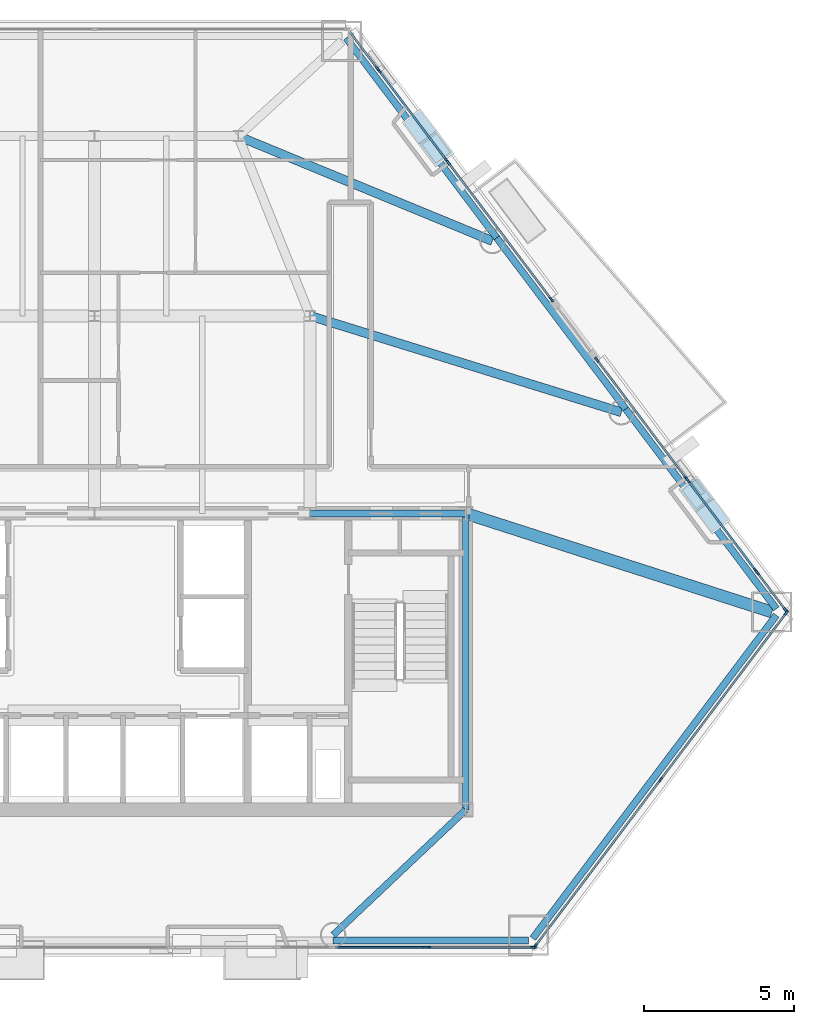
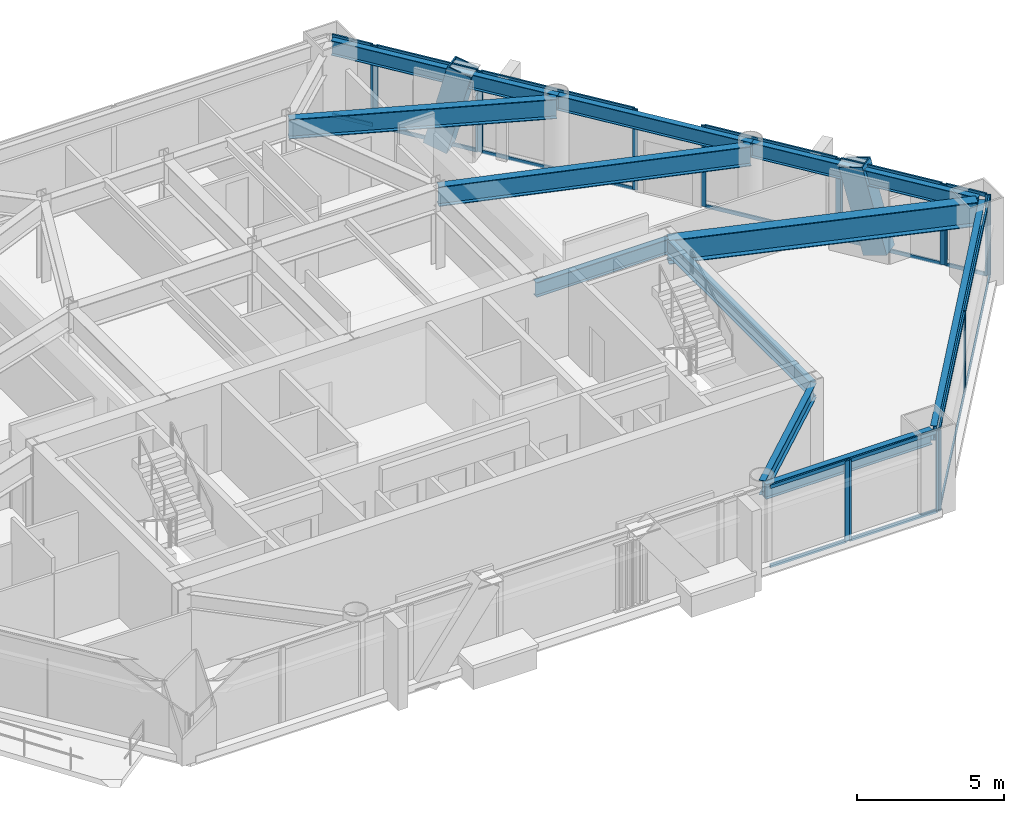
# One storey, part 4 of 10: 39 members, 11 beams, 9 elements without a shape of their own.
"""IFC4 building model written with IfcOpenShell, lengths in metres."""

import ifcopenshell
import ifcopenshell.guid

model = None  # the IFC model being written
_history = None  # IfcOwnerHistory: only IFC2X3 demands one
_inside = {}  # id of a spatial element -> (the spatial element, [elements in it])
_under = {}  # id of a project, library or spatial element -> (it, [spatial elements below it])
_declared = {}  # id of a project -> (the project, [libraries it declares])
_typed = {}  # id of a type object -> (the type object, [elements of that type])
_made_of = {}  # id of a material, layer set ... -> (it, [elements and type objects made of it])


def new_model(schema):
    """Start an empty IFC model of exactly this schema.

    Asked for "IFC4X3", IfcOpenShell would pick the latest addendum, in which some entities
    have other attributes; the version numbers below select the first issue.
    IFC2X3 requires an IfcOwnerHistory on every rooted entity: one is made here for all.
    """
    global model, _history
    if schema == "IFC4X3":
        model = ifcopenshell.file(schema_version=(4, 3, 0, 0))
    else:
        model = ifcopenshell.file(schema=schema)
    _inside.clear()
    _under.clear()
    _declared.clear()
    _typed.clear()
    _made_of.clear()
    _history = None
    if model.schema == "IFC2X3":
        org = make("IfcOrganization", Name="unknown")
        user = make(
            "IfcPersonAndOrganization",
            ThePerson=make("IfcPerson", FamilyName="unknown"),
            TheOrganization=org,
        )
        app = make(
            "IfcApplication",
            ApplicationDeveloper=org,
            Version="unknown",
            ApplicationFullName="unknown",
            ApplicationIdentifier="unknown",
        )
        _history = make(
            "IfcOwnerHistory",
            OwningUser=user,
            OwningApplication=app,
            ChangeAction="ADDED",
            CreationDate=0,
        )
    return model


def make(cls, **values):
    """One entity of the class cls with the attributes given. An attribute that is None is left unset."""
    return model.create_entity(
        cls, **{name: value for name, value in values.items() if value is not None}
    )


def rooted(cls, **values):
    """An entity with a GlobalId (a new one), such as an element, a storey or a relation."""
    return make(cls, GlobalId=ifcopenshell.guid.new(), OwnerHistory=_history, **values)


def si_unit(unit_type, name, prefix=None):
    """IfcSIUnit, for example si_unit("LENGTHUNIT", "METRE", prefix="MILLI")."""
    return make("IfcSIUnit", UnitType=unit_type, Prefix=prefix, Name=name)


def assignment(units):
    """IfcUnitAssignment: the units of a project."""
    return None if units is None else make("IfcUnitAssignment", Units=units)


def point(xyz):
    """IfcCartesianPoint."""
    return None if xyz is None else make("IfcCartesianPoint", Coordinates=xyz)


def direction(xyz):
    """IfcDirection."""
    return None if xyz is None else make("IfcDirection", DirectionRatios=xyz)


def frame(location, z_axis=None, x_axis=None):
    """IfcAxis2Placement3D, a coordinate frame: its origin and axes. An axis left out is left unset."""
    return make(
        "IfcAxis2Placement3D",
        Location=point(location),
        Axis=direction(z_axis),
        RefDirection=direction(x_axis),
    )


def frame_2d(location, x_axis=None):
    """IfcAxis2Placement2D, a coordinate frame in the plane: its origin and x axis."""
    return make(
        "IfcAxis2Placement2D", Location=point(location), RefDirection=direction(x_axis)
    )


def origin():
    """The frame at (0, 0, 0) with its axes left unset."""
    return frame((0.0, 0.0, 0.0))


def origin_2d():
    """The frame at (0, 0) in the plane with its x axis left unset."""
    return frame_2d((0.0, 0.0))


def place(relative_to, where):
    """IfcLocalPlacement: puts the frame where relative to a parent placement (None: the world)."""
    return make(
        "IfcLocalPlacement", PlacementRelTo=relative_to, RelativePlacement=where
    )


def context(
    kind, dimensions, precision=None, world=None, true_north=None, identifier=None
):
    """IfcGeometricRepresentationContext, for example the 3D "Model" context."""
    return make(
        "IfcGeometricRepresentationContext",
        ContextIdentifier=identifier,
        ContextType=kind,
        CoordinateSpaceDimension=dimensions,
        Precision=precision,
        WorldCoordinateSystem=world,
        TrueNorth=true_north,
    )


def subcontext(parent, identifier, kind, view, scale=None):
    """IfcGeometricRepresentationSubContext, for example "Body" below "Model"."""
    return make(
        "IfcGeometricRepresentationSubContext",
        ContextIdentifier=identifier,
        ContextType=kind,
        ParentContext=parent,
        TargetScale=scale,
        TargetView=view,
    )


def project(units=None, contexts=None):
    """IfcProject with its units and contexts."""
    return rooted(
        "IfcProject",
        Name="project",
        RepresentationContexts=contexts,
        UnitsInContext=assignment(units),
    )


def spatial(cls, under=None, at=None, **own):
    """A site, building, storey or space (cls), placed at a placement, below another one or the project."""
    s = rooted(cls, ObjectPlacement=at, **own)
    if under is not None:
        _under.setdefault(under.id(), (under, []))[1].append(s)
    return s


def profile(cls, at=None, kind="AREA", **sizes):
    """A parametric profile (cls). Its sizes go by their IFC names, for example OverallWidth=200.0."""
    return make(cls, ProfileType=kind, Position=at, **sizes)


def rectangle(**sizes):
    """IfcRectangleProfileDef."""
    return profile("IfcRectangleProfileDef", **sizes)


def hollow_rectangle(**sizes):
    """IfcRectangleHollowProfileDef."""
    return profile("IfcRectangleHollowProfileDef", **sizes)


def i_section(**sizes):
    """IfcIShapeProfileDef."""
    return profile("IfcIShapeProfileDef", **sizes)


def extrude(swept, where, along, depth):
    """IfcExtrudedAreaSolid: the profile swept, set in the frame where, extruded along a direction by depth."""
    return make(
        "IfcExtrudedAreaSolid",
        SweptArea=swept,
        Position=where,
        ExtrudedDirection=direction(along),
        Depth=depth,
    )


def shape(context_of_items, identifier, shape_type, items):
    """IfcShapeRepresentation: the items that make up one representation, for example the "Body"."""
    return make(
        "IfcShapeRepresentation",
        ContextOfItems=context_of_items,
        RepresentationIdentifier=identifier,
        RepresentationType=shape_type,
        Items=items,
    )


def material(Name=None, Category=None):
    """IfcMaterial."""
    return make("IfcMaterial", Name=Name, Category=Category)


def layer(
    of_material, thickness, ventilated=None, Name=None, Category=None, Priority=None
):
    """IfcMaterialLayer: one layer of a wall or slab, of a material (None: an air gap)."""
    return make(
        "IfcMaterialLayer",
        Material=of_material,
        LayerThickness=thickness,
        IsVentilated=ventilated,
        Name=Name,
        Category=Category,
        Priority=Priority,
    )


def layer_set(layers, Name=None):
    """IfcMaterialLayerSet."""
    return make("IfcMaterialLayerSet", MaterialLayers=layers, LayerSetName=Name)


def material_profile(
    of_material, cross_section, Name=None, Category=None, Priority=None
):
    """IfcMaterialProfile: a cross section and its material."""
    return make(
        "IfcMaterialProfile",
        Name=Name,
        Material=of_material,
        Profile=cross_section,
        Priority=Priority,
        Category=Category,
    )


def profile_set(profiles, Name=None, composite=None):
    """IfcMaterialProfileSet."""
    return make(
        "IfcMaterialProfileSet",
        Name=Name,
        MaterialProfiles=profiles,
        CompositeProfile=composite,
    )


def made_of(thing, what):
    """Note that an element or type object is made of a material, layer set ...; save() writes the relation."""
    if what is not None:
        _made_of.setdefault(what.id(), (what, []))[1].append(thing)
    return thing


def type_object(cls, material=None, **own):
    """A type object (cls), such as IfcWallType, which elements share."""
    return made_of(rooted(cls, **own), material)


def element(
    cls,
    number,
    at=None,
    inside=None,
    cuts=None,
    type_object=None,
    material=None,
    context=None,
    identifier="Body",
    shape_type=None,
    held_by="IfcProductDefinitionShape",
    body=None,
    shapes=None,
    **own,
):
    """One element of the class cls, such as IfcWall. Its Tag is "e" and its number.

    at: its placement. inside: the storey or other place that contains it. cuts: it is an
    opening in that element (IfcRelVoidsElement). A single representation is given by context,
    identifier, shape_type and body (its items); several are given by shapes. held_by: the class
    of the entity that holds the representations. save() writes the other relations.
    """
    e = rooted(cls, Tag="e%d" % number, ObjectPlacement=at, **own)
    if body is not None:
        shapes = [shape(context, identifier, shape_type, body)]
    if shapes is not None:
        e.Representation = make(held_by, Representations=shapes)
    if inside is not None:
        _inside.setdefault(inside.id(), (inside, []))[1].append(e)
    if cuts is not None:
        rooted(
            "IfcRelVoidsElement", RelatingBuildingElement=cuts, RelatedOpeningElement=e
        )
    if type_object is not None:
        _typed.setdefault(type_object.id(), (type_object, []))[1].append(e)
    return made_of(e, material)


def aggregate(whole, parts):
    """IfcRelAggregates: a whole, such as a stair, and the parts it consists of."""
    return rooted("IfcRelAggregates", RelatingObject=whole, RelatedObjects=parts)


def save(model, path):
    """Write the relations noted so far, then the file.

    IfcRelAggregates (storeys below a building ...), IfcRelContainedInSpatialStructure (elements
    in a storey), IfcRelDefinesByType, IfcRelAssociatesMaterial and IfcRelDeclares: one each for
    every whole, place, type object, material and project.
    """
    for whole, parts in _under.values():
        aggregate(whole, parts)
    for where, things in _inside.values():
        rooted(
            "IfcRelContainedInSpatialStructure",
            RelatedElements=things,
            RelatingStructure=where,
        )
    for kind, things in _typed.values():
        rooted("IfcRelDefinesByType", RelatedObjects=things, RelatingType=kind)
    for what, things in _made_of.values():
        rooted("IfcRelAssociatesMaterial", RelatedObjects=things, RelatingMaterial=what)
    for by, libraries in _declared.values():
        rooted("IfcRelDeclares", RelatingContext=by, RelatedDefinitions=libraries)
    model.write(path)


model = new_model("IFC4")

# Units and contexts
model_context = context("Model", 3, precision=1e-05, world=origin(), true_north=direction((0.0, 1.0)))
body_context = subcontext(model_context, "Body", "Model", "MODEL_VIEW")
ifc_project = project(units=[si_unit("LENGTHUNIT", "METRE"), si_unit("AREAUNIT", "SQUARE_METRE"), si_unit("VOLUMEUNIT", "CUBIC_METRE"), si_unit("PLANEANGLEUNIT", "RADIAN"), si_unit("MASSUNIT", "GRAM", prefix="KILO")], contexts=[model_context])

# Site, building, storey
site_placement = place(None, origin())
site = spatial("IfcSite", under=ifc_project, at=site_placement, CompositionType="ELEMENT")
building_placement = place(site_placement, origin())
building = spatial("IfcBuilding", under=site, at=building_placement, Name="Talgorran Terracotta Tower", CompositionType="ELEMENT")
storey_placement = place(building_placement, frame((0.0, 0.0, 31.5)))
storey = spatial("IfcBuildingStorey", under=building, at=storey_placement, Name="L07", CompositionType="ELEMENT", Elevation=31.5)

# Beams
ifc_material_1 = material(Name="Steel Grade 350 (350L0)", Category="steel")
ifc_material_profile_1 = material_profile(ifc_material_1, i_section(OverallWidth=0.39990234375, OverallDepth=1.0, WebThickness=0.01611328125, FlangeThickness=0.031005859375, at=origin_2d()), Name="1000WB296")
ifc_profile_set_1 = profile_set([ifc_material_profile_1], Name="Steel Grade 350 (350L0)")
beam_type_1 = type_object("IfcBeamType", Name="BM_1000WB296", PredefinedType="BEAM", material=ifc_profile_set_1)
beam_1_placement = place(storey_placement, frame((12.39990234375, -4.199951171875, 2.85009765625), z_axis=(0.951935828117, -0.306297533694, 0.0), x_axis=(0.306297533694, 0.951935828117, 0.0)))
element("IfcBeam", 1, at=beam_1_placement, inside=storey, type_object=beam_type_1, Name="L07 Floor Girder G18", PredefinedType="BEAM", context=body_context, shape_type="SweptSolid", body=[
    extrude(i_section(OverallWidth=0.39990234375, OverallDepth=1.0, WebThickness=0.01611328125, FlangeThickness=0.031005859375, at=origin_2d()), origin(), (0.0, 0.0, 1.0), 10.742919921875),
])
ifc_material_2 = material(Name="Steel S355 (300PLUS)", Category="steel")
ifc_material_profile_2 = material_profile(ifc_material_2, i_section(OverallWidth=0.300048828125, OverallDepth=0.81591796875, WebThickness=0.013916015625, FlangeThickness=0.028076171875, at=origin_2d()), Name="800WB192")
ifc_profile_set_2 = profile_set([ifc_material_profile_2], Name="Steel S355 (300PLUS)")
beam_type_2 = type_object("IfcBeamType", Name="BM_800WB192", PredefinedType="BEAM", material=ifc_profile_set_2)
beam_2_placement = place(storey_placement, frame((7.199951171875, 2.39990234375, 2.94189453125), z_axis=(0.955282572472, -0.295694448259, 0.0), x_axis=(0.295694448259, 0.955282572472, 0.0)))
element("IfcBeam", 2, at=beam_2_placement, inside=storey, type_object=beam_type_2, Name="L07 Floor Girder G07", PredefinedType="BEAM", context=body_context, shape_type="SweptSolid", body=[
    extrude(i_section(OverallWidth=0.300048828125, OverallDepth=0.81591796875, WebThickness=0.013916015625, FlangeThickness=0.028076171875, at=origin_2d()), origin(), (0.0, 0.0, 1.0), 10.88623046875),
])
beam_3_placement = place(storey_placement, frame((4.800048828125, 8.39990234375, 2.94189453125), z_axis=(0.924495756371, -0.381192335249, 0.0), x_axis=(0.381192335249, 0.924495756371, 0.0)))
element("IfcBeam", 3, at=beam_3_placement, inside=storey, type_object=beam_type_2, Name="L07 Floor Girder G14", PredefinedType="BEAM", context=body_context, shape_type="SweptSolid", body=[
    extrude(i_section(OverallWidth=0.300048828125, OverallDepth=0.81591796875, WebThickness=0.013916015625, FlangeThickness=0.028076171875, at=origin_2d()), origin(), (0.0, 0.0, 1.0), 9.18359375),
])
ifc_material_profile_3 = material_profile(ifc_material_2, i_section(OverallWidth=0.22900390625, OverallDepth=0.611572265625, WebThickness=0.011962890625, FlangeThickness=0.01953125, at=origin_2d()), Name="610UB125")
ifc_profile_set_3 = profile_set([ifc_material_profile_3], Name="Steel S355 (300PLUS)")
beam_type_3 = type_object("IfcBeamType", Name="BM_SP_610UB125", PredefinedType="SPANDREL", material=ifc_profile_set_3)
beam_4_placement = place(storey_placement, frame((7.97265625, -18.4599609375, 3.044189453125), z_axis=(1.0, 0.0, 0.0), x_axis=(0.0, 1.0, 0.0)))
element("IfcBeam", 4, at=beam_4_placement, inside=storey, type_object=beam_type_3, Name="L07 Perimeter Spandrel Beam FC2-MC3", PredefinedType="SPANDREL", context=body_context, shape_type="SweptSolid", body=[
    extrude(i_section(OverallWidth=0.22900390625, OverallDepth=0.611572265625, WebThickness=0.011962890625, FlangeThickness=0.01953125, at=origin_2d()), origin(), (0.0, 0.0, 1.0), 6.523193359375),
])
beam_5_placement = place(storey_placement, frame((14.6396484375, -18.38818359375, 3.044189453125), z_axis=(0.601820005964, 0.798631755205, 0.0), x_axis=(-0.798631755205, 0.601820005964, 0.0)))
element("IfcBeam", 5, at=beam_5_placement, inside=storey, type_object=beam_type_3, Name="L07 Perimeter Spandrel Beam MC3-MC4", PredefinedType="SPANDREL", context=body_context, shape_type="SweptSolid", body=[
    extrude(i_section(OverallWidth=0.22900390625, OverallDepth=0.611572265625, WebThickness=0.011962890625, FlangeThickness=0.01953125, at=origin_2d()), origin(), (0.0, 0.0, 1.0), 13.510009765625),
])
beam_6_placement = place(storey_placement, frame((22.770263671875, -7.382080078125, 3.044189453125), z_axis=(-0.601803503312, 0.798644190739, 0.0), x_axis=(-0.798644190739, -0.601803503312, 0.0)))
element("IfcBeam", 6, at=beam_6_placement, inside=storey, type_object=beam_type_3, Name="L07 Perimeter Spandrel Beam MC4-FC3", PredefinedType="SPANDREL", context=body_context, shape_type="SweptSolid", body=[
    extrude(i_section(OverallWidth=0.22900390625, OverallDepth=0.611572265625, WebThickness=0.011962890625, FlangeThickness=0.01953125, at=origin_2d()), origin(), (0.0, 0.0, 1.0), 8.353271484375),
])
beam_7_placement = place(storey_placement, frame((17.7431640625, -0.710693359375, 3.044189453125), z_axis=(-0.601837001902, 0.798618947397, 0.0), x_axis=(-0.798618947397, -0.601837001902, 0.0)))
element("IfcBeam", 7, at=beam_7_placement, inside=storey, type_object=beam_type_3, Name="L07 Perimeter Spandrel Beam FC3-FC4", PredefinedType="SPANDREL", context=body_context, shape_type="SweptSolid", body=[
    extrude(i_section(OverallWidth=0.22900390625, OverallDepth=0.611572265625, WebThickness=0.011962890625, FlangeThickness=0.01953125, at=origin_2d()), origin(), (0.0, 0.0, 1.0), 7.159912109375),
])
beam_8_placement = place(storey_placement, frame((13.43408203125, 5.00732421875, 3.044189453125), z_axis=(-0.601803503312, 0.798644190739, 0.0), x_axis=(-0.798644190739, -0.601803503312, 0.0)))
element("IfcBeam", 8, at=beam_8_placement, inside=storey, type_object=beam_type_3, Name="L07 Perimeter Spandrel Beam FC4-MC5", PredefinedType="SPANDREL", context=body_context, shape_type="SweptSolid", body=[
    extrude(i_section(OverallWidth=0.22900390625, OverallDepth=0.611572265625, WebThickness=0.011962890625, FlangeThickness=0.01953125, at=origin_2d()), origin(), (0.0, 0.0, 1.0), 8.353271484375),
])
beam_9_placement = place(storey_placement, frame((12.39990234375, -14.10009765625, 3.044189453125), z_axis=(-0.727124342691, -0.686505783126, 0.0), x_axis=(0.686505783126, -0.727124342691, 0.0)))
element("IfcBeam", 9, at=beam_9_placement, inside=storey, type_object=beam_type_3, Name="L07 South-East Core Tie Beam", PredefinedType="SPANDREL", context=body_context, shape_type="SweptSolid", body=[
    extrude(i_section(OverallWidth=0.22900390625, OverallDepth=0.611572265625, WebThickness=0.011962890625, FlangeThickness=0.01953125, at=origin_2d()), origin(), (0.0, 0.0, 1.0), 6.088623046875),
])
beam_10_placement = place(storey_placement, frame((12.39990234375, -14.10009765625, 3.044189453125), z_axis=(0.0, 1.0, 0.0), x_axis=(-1.0, 0.0, 0.0)))
element("IfcBeam", 10, at=beam_10_placement, inside=storey, type_object=beam_type_3, Name="L07 Core Frame Beam CFE", PredefinedType="SPANDREL", context=body_context, shape_type="SweptSolid", body=[
    extrude(i_section(OverallWidth=0.22900390625, OverallDepth=0.611572265625, WebThickness=0.011962890625, FlangeThickness=0.01953125, at=origin_2d()), origin(), (0.0, 0.0, 1.0), 9.900146484375),
])
beam_11_placement = place(storey_placement, frame((7.199951171875, -4.199951171875, 3.044189453125), z_axis=(1.0, 0.0, 0.0), x_axis=(0.0, 1.0, 0.0)))
element("IfcBeam", 11, at=beam_11_placement, inside=storey, type_object=beam_type_3, Name="L07 Core Frame Beam CFN4", PredefinedType="SPANDREL", context=body_context, shape_type="SweptSolid", body=[
    extrude(i_section(OverallWidth=0.22900390625, OverallDepth=0.611572265625, WebThickness=0.011962890625, FlangeThickness=0.01953125, at=origin_2d()), origin(), (0.0, 0.0, 1.0), 5.199951171875),
])

# Members
ifc_material_profile_4 = material_profile(ifc_material_1, hollow_rectangle(XDim=0.699951171875, YDim=0.89990234375, WallThickness=0.050048828125, at=origin_2d()), Name="WBOX900X700X50")
ifc_profile_set_4 = profile_set([ifc_material_profile_4], Name="Steel Grade 350 (350L0)")
member_type_1 = type_object("IfcMemberType", Name="MB_MEGA_900", PredefinedType="BRACE", material=ifc_profile_set_4)
for number, where, z_axis, x_axis, name in (
    (12, (20.64794921875, -4.2666015625, -0.02490234375), (-0.153970521354, 0.204299028109, 0.966723841471), (-0.79859763006, -0.601865288302, 0.0), "L07 Exterior Face Mega-Brace MB-1 (NEL)"),
    (13, (10.8720703125, 8.70654296875, -0.02490234375), (0.15390274734, -0.204301211286, 0.96673417206), (0.798728058872, 0.601692187061, 0.0), "L07 Exterior Face Mega-Brace MB-1 (NEU)"),
):
    element("IfcMember", number, at=place(storey_placement, frame(where, z_axis=z_axis, x_axis=x_axis)), inside=storey, type_object=member_type_1, Name=name, PredefinedType="BRACE", context=body_context, shape_type="SweptSolid", body=[
        extrude(hollow_rectangle(XDim=0.699951171875, YDim=0.89990234375, WallThickness=0.050048828125, at=origin_2d()), origin(), (0.0, 0.0, 1.0), 3.516845703125),
    ])

# Curtain wall, member
ifc_material_3 = material(Name="Unitised Low-E Double Glazing", Category="glass")
ifc_layer = layer(ifc_material_3, 0.199951171875, Name="CW_SYS2_RES_LOW")
ifc_layer_set = layer_set([ifc_layer], Name="Unitised Low-E Double Glazing")
curtain_wall_type = type_object("IfcCurtainWallType", Name="CW_SYS2_RES_LOW", PredefinedType="NOTDEFINED", material=ifc_layer_set)
curtain_wall_1_placement = place(storey_placement, origin())
curtain_wall_1 = element("IfcCurtainWall", 14, at=curtain_wall_1_placement, inside=storey, type_object=curtain_wall_type, Name="CW-L07-F1H", PredefinedType="NOTDEFINED")
ifc_material_4 = material(Name="Architectural Aluminium 6063-T6", Category="aluminium")
ifc_material_profile_5 = material_profile(ifc_material_4, rectangle(XDim=0.06494140625, YDim=0.18505859375, at=origin_2d()), Name="CWM65X185")
ifc_profile_set_5 = profile_set([ifc_material_profile_5], Name="Architectural Aluminium 6063-T6")
member_type_2 = type_object("IfcMemberType", Name="MUL_65X185", PredefinedType="MULLION", material=ifc_profile_set_5)
member_1_placement = place(storey_placement, frame((11.06396484375, -18.679931640625, 0.0), z_axis=(0.0, 0.0, 1.0), x_axis=(0.0, 1.0, 0.0)))
member_1 = element("IfcMember", 15, at=member_1_placement, type_object=member_type_2, Name="CW-L07-1H mullion 2", PredefinedType="MULLION", context=body_context, shape_type="SweptSolid", body=[
    extrude(rectangle(XDim=0.06494140625, YDim=0.18505859375, at=origin_2d()), origin(), (0.0, 0.0, 1.0), 3.35009765625),
])

# Curtain wall, members
curtain_wall_2_placement = place(storey_placement, origin())
curtain_wall_2 = element("IfcCurtainWall", 16, at=curtain_wall_2_placement, inside=storey, type_object=curtain_wall_type, Name="CW-L07-F1I", PredefinedType="NOTDEFINED")
member_2_placement = place(storey_placement, frame((11.138916015625, -18.679931640625, 0.0), z_axis=(0.0, 0.0, 1.0), x_axis=(0.0, 1.0, 0.0)))
member_2 = element("IfcMember", 17, at=member_2_placement, type_object=member_type_2, Name="CW-L07-1I mullion 1", PredefinedType="MULLION", context=body_context, shape_type="SweptSolid", body=[
    extrude(rectangle(XDim=0.06494140625, YDim=0.18505859375, at=origin_2d()), origin(), (0.0, 0.0, 1.0), 3.35009765625),
])
member_3_placement = place(storey_placement, frame((14.662841796875, -18.679931640625, 0.0), z_axis=(0.0, 0.0, 1.0), x_axis=(0.0, 1.0, 0.0)))
member_3 = element("IfcMember", 18, at=member_3_placement, type_object=member_type_2, Name="CW-L07-1I mullion 2", PredefinedType="MULLION", context=body_context, shape_type="SweptSolid", body=[
    extrude(rectangle(XDim=0.06494140625, YDim=0.18505859375, at=origin_2d()), origin(), (0.0, 0.0, 1.0), 3.35009765625),
])

curtain_wall_3_placement = place(storey_placement, origin())
curtain_wall_3 = element("IfcCurtainWall", 19, at=curtain_wall_3_placement, inside=storey, type_object=curtain_wall_type, Name="CW-L07-F2", PredefinedType="NOTDEFINED")
member_4_placement = place(storey_placement, frame((14.71484375, -18.654052734375, 0.0), z_axis=(0.0, 0.0, 1.0), x_axis=(-0.79863785641, 0.60181190941, 0.0)))
member_4 = element("IfcMember", 20, at=member_4_placement, type_object=member_type_2, Name="CW-L07-2 mullion 1", PredefinedType="MULLION", context=body_context, shape_type="SweptSolid", body=[
    extrude(rectangle(XDim=0.06494140625, YDim=0.18505859375, at=origin_2d()), origin(), (0.0, 0.0, 1.0), 3.35009765625),
])
member_5_placement = place(storey_placement, frame((18.911376953125, -13.085205078125, 0.0), z_axis=(0.0, 0.0, 1.0), x_axis=(-0.79863785641, 0.60181190941, 0.0)))
member_5 = element("IfcMember", 21, at=member_5_placement, type_object=member_type_2, Name="CW-L07-2 mullion 2", PredefinedType="MULLION", context=body_context, shape_type="SweptSolid", body=[
    extrude(rectangle(XDim=0.06494140625, YDim=0.18505859375, at=origin_2d()), origin(), (0.0, 0.0, 1.0), 3.35009765625),
])
member_6_placement = place(storey_placement, frame((23.107666015625, -7.516357421875, 0.0), z_axis=(0.0, 0.0, 1.0), x_axis=(-0.79863785641, 0.60181190941, 0.0)))
member_6 = element("IfcMember", 22, at=member_6_placement, type_object=member_type_2, Name="CW-L07-2 mullion 3", PredefinedType="MULLION", context=body_context, shape_type="SweptSolid", body=[
    extrude(rectangle(XDim=0.06494140625, YDim=0.18505859375, at=origin_2d()), origin(), (0.0, 0.0, 1.0), 3.35009765625),
])

curtain_wall_4_placement = place(storey_placement, origin())
curtain_wall_4 = element("IfcCurtainWall", 23, at=curtain_wall_4_placement, inside=storey, type_object=curtain_wall_type, Name="CW-L07-F40", PredefinedType="NOTDEFINED")
member_7_placement = place(storey_placement, frame((23.083740234375, -7.4326171875, 0.0), z_axis=(0.0, 0.0, 1.0), x_axis=(-0.798649388029, -0.601796606007, 0.0)))
member_7 = element("IfcMember", 24, at=member_7_placement, type_object=member_type_2, Name="CW-L07-40 mullion 1", PredefinedType="MULLION", context=body_context, shape_type="SweptSolid", body=[
    extrude(rectangle(XDim=0.06494140625, YDim=0.18505859375, at=origin_2d()), origin(), (0.0, 0.0, 1.0), 3.35009765625),
])
member_8_placement = place(storey_placement, frame((22.137451171875, -6.1767578125, 0.0), z_axis=(0.0, 0.0, 1.0), x_axis=(-0.798649388029, -0.601796606007, 0.0)))
member_8 = element("IfcMember", 25, at=member_8_placement, type_object=member_type_2, Name="CW-L07-40 mullion 2", PredefinedType="MULLION", context=body_context, shape_type="SweptSolid", body=[
    extrude(rectangle(XDim=0.06494140625, YDim=0.18505859375, at=origin_2d()), origin(), (0.0, 0.0, 1.0), 3.35009765625),
])

curtain_wall_5_placement = place(storey_placement, origin())
curtain_wall_5 = element("IfcCurtainWall", 26, at=curtain_wall_5_placement, inside=storey, type_object=curtain_wall_type, Name="CW-L07-F40B", PredefinedType="NOTDEFINED")
member_9_placement = place(storey_placement, frame((22.09228515625, -6.116943359375, 0.0), z_axis=(0.0, 0.0, 1.0), x_axis=(-0.798636044714, -0.601814313624, 0.0)))
member_9 = element("IfcMember", 27, at=member_9_placement, type_object=member_type_2, Name="CW-L07-40B mullion 1", PredefinedType="MULLION", context=body_context, shape_type="SweptSolid", body=[
    extrude(rectangle(XDim=0.06494140625, YDim=0.18505859375, at=origin_2d()), origin(), (0.0, 0.0, 1.0), 3.35009765625),
])
member_10_placement = place(storey_placement, frame((19.808837890625, -3.086669921875, 0.0), z_axis=(0.0, 0.0, 1.0), x_axis=(-0.798636044714, -0.601814313624, 0.0)))
member_10 = element("IfcMember", 28, at=member_10_placement, type_object=member_type_2, Name="CW-L07-40B mullion 2", PredefinedType="MULLION", context=body_context, shape_type="SweptSolid", body=[
    extrude(rectangle(XDim=0.06494140625, YDim=0.18505859375, at=origin_2d()), origin(), (0.0, 0.0, 1.0), 3.35009765625),
])

curtain_wall_6_placement = place(storey_placement, origin())
curtain_wall_6 = element("IfcCurtainWall", 29, at=curtain_wall_6_placement, inside=storey, type_object=curtain_wall_type, Name="CW-L07-F40C", PredefinedType="NOTDEFINED")
member_11_placement = place(storey_placement, frame((19.763671875, -3.02685546875, 0.0), z_axis=(0.0, 0.0, 1.0), x_axis=(-0.798648753858, -0.601797447619, 0.0)))
member_11 = element("IfcMember", 30, at=member_11_placement, type_object=member_type_2, Name="CW-L07-40C mullion 1", PredefinedType="MULLION", context=body_context, shape_type="SweptSolid", body=[
    extrude(rectangle(XDim=0.06494140625, YDim=0.18505859375, at=origin_2d()), origin(), (0.0, 0.0, 1.0), 3.35009765625),
])
member_12_placement = place(storey_placement, frame((16.77880859375, 0.9345703125, 0.0), z_axis=(0.0, 0.0, 1.0), x_axis=(-0.798648753858, -0.601797447619, 0.0)))
member_12 = element("IfcMember", 31, at=member_12_placement, type_object=member_type_2, Name="CW-L07-40C mullion 2", PredefinedType="MULLION", context=body_context, shape_type="SweptSolid", body=[
    extrude(rectangle(XDim=0.06494140625, YDim=0.18505859375, at=origin_2d()), origin(), (0.0, 0.0, 1.0), 3.35009765625),
])

curtain_wall_7_placement = place(storey_placement, origin())
curtain_wall_7 = element("IfcCurtainWall", 32, at=curtain_wall_7_placement, inside=storey, type_object=curtain_wall_type, Name="CW-L07-F41", PredefinedType="NOTDEFINED")
member_13_placement = place(storey_placement, frame((15.259033203125, 2.951171875, 0.0), z_axis=(0.0, 0.0, 1.0), x_axis=(-0.798640065911, -0.60180897727, 0.0)))
member_13 = element("IfcMember", 33, at=member_13_placement, type_object=member_type_2, Name="CW-L07-41 mullion 1", PredefinedType="MULLION", context=body_context, shape_type="SweptSolid", body=[
    extrude(rectangle(XDim=0.06494140625, YDim=0.18505859375, at=origin_2d()), origin(), (0.0, 0.0, 1.0), 3.35009765625),
])
member_14_placement = place(storey_placement, frame((11.820068359375, 7.514892578125, 0.0), z_axis=(0.0, 0.0, 1.0), x_axis=(-0.798640065911, -0.60180897727, 0.0)))
member_14 = element("IfcMember", 34, at=member_14_placement, type_object=member_type_2, Name="CW-L07-41 mullion 2", PredefinedType="MULLION", context=body_context, shape_type="SweptSolid", body=[
    extrude(rectangle(XDim=0.06494140625, YDim=0.18505859375, at=origin_2d()), origin(), (0.0, 0.0, 1.0), 3.35009765625),
])

curtain_wall_8_placement = place(storey_placement, origin())
curtain_wall_8 = element("IfcCurtainWall", 35, at=curtain_wall_8_placement, inside=storey, type_object=curtain_wall_type, Name="CW-L07-F41B", PredefinedType="NOTDEFINED")
member_15_placement = place(storey_placement, frame((11.77490234375, 7.574951171875, 0.0), z_axis=(0.0, 0.0, 1.0), x_axis=(-0.798626659876, -0.601826767546, 0.0)))
member_15 = element("IfcMember", 36, at=member_15_placement, type_object=member_type_2, Name="CW-L07-41B mullion 1", PredefinedType="MULLION", context=body_context, shape_type="SweptSolid", body=[
    extrude(rectangle(XDim=0.06494140625, YDim=0.18505859375, at=origin_2d()), origin(), (0.0, 0.0, 1.0), 3.35009765625),
])
member_16_placement = place(storey_placement, frame((9.491455078125, 10.60498046875, 0.0), z_axis=(0.0, 0.0, 1.0), x_axis=(-0.798626659876, -0.601826767546, 0.0)))
member_16 = element("IfcMember", 37, at=member_16_placement, type_object=member_type_2, Name="CW-L07-41B mullion 2", PredefinedType="MULLION", context=body_context, shape_type="SweptSolid", body=[
    extrude(rectangle(XDim=0.06494140625, YDim=0.18505859375, at=origin_2d()), origin(), (0.0, 0.0, 1.0), 3.35009765625),
])

# Curtain wall, member
curtain_wall_9_placement = place(storey_placement, origin())
curtain_wall_9 = element("IfcCurtainWall", 38, at=curtain_wall_9_placement, inside=storey, type_object=curtain_wall_type, Name="CW-L07-F41C", PredefinedType="NOTDEFINED")
member_17_placement = place(storey_placement, frame((9.4462890625, 10.6650390625, 0.0), z_axis=(0.0, 0.0, 1.0), x_axis=(-0.798648355676, -0.601797976048, 0.0)))
member_17 = element("IfcMember", 39, at=member_17_placement, type_object=member_type_2, Name="CW-L07-41C mullion 1", PredefinedType="MULLION", context=body_context, shape_type="SweptSolid", body=[
    extrude(rectangle(XDim=0.06494140625, YDim=0.18505859375, at=origin_2d()), origin(), (0.0, 0.0, 1.0), 3.35009765625),
])

# Member
ifc_material_profile_6 = material_profile(ifc_material_4, rectangle(XDim=0.06494140625, YDim=0.14990234375, at=origin_2d()), Name="CWT65X150")
ifc_profile_set_6 = profile_set([ifc_material_profile_6], Name="Architectural Aluminium 6063-T6")
member_type_3 = type_object("IfcMemberType", Name="TRN_65X150", PredefinedType="USERDEFINED", material=ifc_profile_set_6)
member_18_placement = place(storey_placement, frame((8.046630859375, -18.679931640625, 0.032470703125), z_axis=(1.0, 0.0, 0.0), x_axis=(0.0, 1.0, 0.0)))
member_18 = element("IfcMember", 40, at=member_18_placement, type_object=member_type_3, Name="CW-L07-1H transom 1.1", ObjectType="TRANSOM", PredefinedType="USERDEFINED", context=body_context, shape_type="SweptSolid", body=[
    extrude(rectangle(XDim=0.06494140625, YDim=0.14990234375, at=origin_2d()), origin(), (0.0, 0.0, 1.0), 2.98486328125),
])

member_19_placement = place(storey_placement, frame((8.046630859375, -18.679931640625, 3.3173828125), z_axis=(1.0, 0.0, 0.0), x_axis=(0.0, 1.0, 0.0)))
member_19 = element("IfcMember", 41, at=member_19_placement, type_object=member_type_3, Name="CW-L07-1H transom 1.2", ObjectType="TRANSOM", PredefinedType="USERDEFINED", context=body_context, shape_type="SweptSolid", body=[
    extrude(rectangle(XDim=0.06494140625, YDim=0.14990234375, at=origin_2d()), origin(), (0.0, 0.0, 1.0), 2.98486328125),
])

aggregate(curtain_wall_1, [member_1, member_18, member_19])

member_20_placement = place(storey_placement, frame((11.17138671875, -18.679931640625, 0.032470703125), z_axis=(1.0, 0.0, 0.0), x_axis=(0.0, 1.0, 0.0)))
member_20 = element("IfcMember", 42, at=member_20_placement, type_object=member_type_3, Name="CW-L07-1I transom 1.1", ObjectType="TRANSOM", PredefinedType="USERDEFINED", context=body_context, shape_type="SweptSolid", body=[
    extrude(rectangle(XDim=0.06494140625, YDim=0.14990234375, at=origin_2d()), origin(), (0.0, 0.0, 1.0), 3.458984375),
])

member_21_placement = place(storey_placement, frame((11.17138671875, -18.679931640625, 3.3173828125), z_axis=(1.0, 0.0, 0.0), x_axis=(0.0, 1.0, 0.0)))
member_21 = element("IfcMember", 43, at=member_21_placement, type_object=member_type_3, Name="CW-L07-1I transom 1.2", ObjectType="TRANSOM", PredefinedType="USERDEFINED", context=body_context, shape_type="SweptSolid", body=[
    extrude(rectangle(XDim=0.06494140625, YDim=0.14990234375, at=origin_2d()), origin(), (0.0, 0.0, 1.0), 3.458984375),
])

aggregate(curtain_wall_2, [member_2, member_3, member_20, member_21])

member_22_placement = place(storey_placement, frame((14.734619140625, -18.628173828125, 0.032470703125), z_axis=(0.601796664626, 0.798649343858, 0.0), x_axis=(-0.798649343858, 0.601796664626, 0.0)))
member_22 = element("IfcMember", 44, at=member_22_placement, type_object=member_type_3, Name="CW-L07-2 transom 1.1", ObjectType="TRANSOM", PredefinedType="USERDEFINED", context=body_context, shape_type="SweptSolid", body=[
    extrude(rectangle(XDim=0.06494140625, YDim=0.14990234375, at=origin_2d()), origin(), (0.0, 0.0, 1.0), 6.907958984375),
])

member_23_placement = place(storey_placement, frame((14.734619140625, -18.628173828125, 3.3173828125), z_axis=(0.601796664626, 0.798649343858, 0.0), x_axis=(-0.798649343858, 0.601796664626, 0.0)))
member_23 = element("IfcMember", 45, at=member_23_placement, type_object=member_type_3, Name="CW-L07-2 transom 1.2", ObjectType="TRANSOM", PredefinedType="USERDEFINED", context=body_context, shape_type="SweptSolid", body=[
    extrude(rectangle(XDim=0.06494140625, YDim=0.14990234375, at=origin_2d()), origin(), (0.0, 0.0, 1.0), 6.907958984375),
])

member_24_placement = place(storey_placement, frame((18.930908203125, -13.059326171875, 0.032470703125), z_axis=(0.601796664626, 0.798649343858, 0.0), x_axis=(-0.798649343858, 0.601796664626, 0.0)))
member_24 = element("IfcMember", 46, at=member_24_placement, type_object=member_type_3, Name="CW-L07-2 transom 2.1", ObjectType="TRANSOM", PredefinedType="USERDEFINED", context=body_context, shape_type="SweptSolid", body=[
    extrude(rectangle(XDim=0.06494140625, YDim=0.14990234375, at=origin_2d()), origin(), (0.0, 0.0, 1.0), 6.907958984375),
])

member_25_placement = place(storey_placement, frame((18.930908203125, -13.059326171875, 3.3173828125), z_axis=(0.601796664626, 0.798649343858, 0.0), x_axis=(-0.798649343858, 0.601796664626, 0.0)))
member_25 = element("IfcMember", 47, at=member_25_placement, type_object=member_type_3, Name="CW-L07-2 transom 2.2", ObjectType="TRANSOM", PredefinedType="USERDEFINED", context=body_context, shape_type="SweptSolid", body=[
    extrude(rectangle(XDim=0.06494140625, YDim=0.14990234375, at=origin_2d()), origin(), (0.0, 0.0, 1.0), 6.907958984375),
])

aggregate(curtain_wall_3, [member_4, member_5, member_6, member_22, member_23, member_24, member_25])

member_26_placement = place(storey_placement, frame((23.06396484375, -7.406494140625, 0.032470703125), z_axis=(-0.6018128051, 0.798637181465, 0.0), x_axis=(-0.798637181465, -0.6018128051, 0.0)))
member_26 = element("IfcMember", 48, at=member_26_placement, type_object=member_type_3, Name="CW-L07-40 transom 1.1", ObjectType="TRANSOM", PredefinedType="USERDEFINED", context=body_context, shape_type="SweptSolid", body=[
    extrude(rectangle(XDim=0.06494140625, YDim=0.14990234375, at=origin_2d()), origin(), (0.0, 0.0, 1.0), 1.507080078125),
])

member_27_placement = place(storey_placement, frame((23.06396484375, -7.406494140625, 3.3173828125), z_axis=(-0.6018128051, 0.798637181465, 0.0), x_axis=(-0.798637181465, -0.6018128051, 0.0)))
member_27 = element("IfcMember", 49, at=member_27_placement, type_object=member_type_3, Name="CW-L07-40 transom 1.2", ObjectType="TRANSOM", PredefinedType="USERDEFINED", context=body_context, shape_type="SweptSolid", body=[
    extrude(rectangle(XDim=0.06494140625, YDim=0.14990234375, at=origin_2d()), origin(), (0.0, 0.0, 1.0), 1.507080078125),
])

aggregate(curtain_wall_4, [member_7, member_8, member_26, member_27])

member_28_placement = place(storey_placement, frame((22.07275390625, -6.091064453125, 0.032470703125), z_axis=(-0.601800016393, 0.79864681823, 0.0), x_axis=(-0.79864681823, -0.601800016393, 0.0)))
member_28 = element("IfcMember", 50, at=member_28_placement, type_object=member_type_3, Name="CW-L07-40B transom 1.1", ObjectType="TRANSOM", PredefinedType="USERDEFINED", context=body_context, shape_type="SweptSolid", body=[
    extrude(rectangle(XDim=0.06494140625, YDim=0.14990234375, at=origin_2d()), origin(), (0.0, 0.0, 1.0), 3.7294921875),
])

member_29_placement = place(storey_placement, frame((22.07275390625, -6.091064453125, 3.3173828125), z_axis=(-0.601800016393, 0.79864681823, 0.0), x_axis=(-0.79864681823, -0.601800016393, 0.0)))
member_29 = element("IfcMember", 51, at=member_29_placement, type_object=member_type_3, Name="CW-L07-40B transom 1.2", ObjectType="TRANSOM", PredefinedType="USERDEFINED", context=body_context, shape_type="SweptSolid", body=[
    extrude(rectangle(XDim=0.06494140625, YDim=0.14990234375, at=origin_2d()), origin(), (0.0, 0.0, 1.0), 3.7294921875),
])

aggregate(curtain_wall_5, [member_9, member_10, member_28, member_29])

member_30_placement = place(storey_placement, frame((19.744140625, -3.0009765625, 0.032470703125), z_axis=(-0.601770025014, 0.798669416589, 0.0), x_axis=(-0.798669416589, -0.601770025014, 0.0)))
member_30 = element("IfcMember", 52, at=member_30_placement, type_object=member_type_3, Name="CW-L07-40C transom 1.1", ObjectType="TRANSOM", PredefinedType="USERDEFINED", context=body_context, shape_type="SweptSolid", body=[
    extrude(rectangle(XDim=0.06494140625, YDim=0.14990234375, at=origin_2d()), origin(), (0.0, 0.0, 1.0), 4.895263671875),
])

member_31_placement = place(storey_placement, frame((19.744140625, -3.0009765625, 3.3173828125), z_axis=(-0.601770025014, 0.798669416589, 0.0), x_axis=(-0.798669416589, -0.601770025014, 0.0)))
member_31 = element("IfcMember", 53, at=member_31_placement, type_object=member_type_3, Name="CW-L07-40C transom 1.2", ObjectType="TRANSOM", PredefinedType="USERDEFINED", context=body_context, shape_type="SweptSolid", body=[
    extrude(rectangle(XDim=0.06494140625, YDim=0.14990234375, at=origin_2d()), origin(), (0.0, 0.0, 1.0), 4.895263671875),
])

aggregate(curtain_wall_6, [member_11, member_12, member_30, member_31])

member_32_placement = place(storey_placement, frame((15.239501953125, 2.97705078125, 0.032470703125), z_axis=(-0.601803104879, 0.798644490971, 0.0), x_axis=(-0.798644490971, -0.601803104879, 0.0)))
member_32 = element("IfcMember", 54, at=member_32_placement, type_object=member_type_3, Name="CW-L07-41 transom 1.1", ObjectType="TRANSOM", PredefinedType="USERDEFINED", context=body_context, shape_type="SweptSolid", body=[
    extrude(rectangle(XDim=0.06494140625, YDim=0.14990234375, at=origin_2d()), origin(), (0.0, 0.0, 1.0), 5.6494140625),
])

member_33_placement = place(storey_placement, frame((15.239501953125, 2.97705078125, 3.3173828125), z_axis=(-0.601803104879, 0.798644490971, 0.0), x_axis=(-0.798644490971, -0.601803104879, 0.0)))
member_33 = element("IfcMember", 55, at=member_33_placement, type_object=member_type_3, Name="CW-L07-41 transom 1.2", ObjectType="TRANSOM", PredefinedType="USERDEFINED", context=body_context, shape_type="SweptSolid", body=[
    extrude(rectangle(XDim=0.06494140625, YDim=0.14990234375, at=origin_2d()), origin(), (0.0, 0.0, 1.0), 5.6494140625),
])

aggregate(curtain_wall_7, [member_13, member_14, member_32, member_33])

member_34_placement = place(storey_placement, frame((11.75537109375, 7.600830078125, 0.032470703125), z_axis=(-0.601831480699, 0.79862310813, 0.0), x_axis=(-0.79862310813, -0.601831480699, 0.0)))
member_34 = element("IfcMember", 56, at=member_34_placement, type_object=member_type_3, Name="CW-L07-41B transom 1.1", ObjectType="TRANSOM", PredefinedType="USERDEFINED", context=body_context, shape_type="SweptSolid", body=[
    extrude(rectangle(XDim=0.06494140625, YDim=0.14990234375, at=origin_2d()), origin(), (0.0, 0.0, 1.0), 3.729248046875),
])

member_35_placement = place(storey_placement, frame((11.75537109375, 7.600830078125, 3.3173828125), z_axis=(-0.601831480699, 0.79862310813, 0.0), x_axis=(-0.79862310813, -0.601831480699, 0.0)))
member_35 = element("IfcMember", 57, at=member_35_placement, type_object=member_type_3, Name="CW-L07-41B transom 1.2", ObjectType="TRANSOM", PredefinedType="USERDEFINED", context=body_context, shape_type="SweptSolid", body=[
    extrude(rectangle(XDim=0.06494140625, YDim=0.14990234375, at=origin_2d()), origin(), (0.0, 0.0, 1.0), 3.729248046875),
])

aggregate(curtain_wall_8, [member_15, member_16, member_34, member_35])

member_36_placement = place(storey_placement, frame((9.4267578125, 10.69091796875, 0.032470703125), z_axis=(-0.601798984676, 0.798647595653, 0.0), x_axis=(-0.798647595653, -0.601798984676, 0.0)))
member_36 = element("IfcMember", 58, at=member_36_placement, type_object=member_type_3, Name="CW-L07-41C transom 1.1", ObjectType="TRANSOM", PredefinedType="USERDEFINED", context=body_context, shape_type="SweptSolid", body=[
    extrude(rectangle(XDim=0.06494140625, YDim=0.14990234375, at=origin_2d()), origin(), (0.0, 0.0, 1.0), 1.4970703125),
])

member_37_placement = place(storey_placement, frame((9.4267578125, 10.69091796875, 3.3173828125), z_axis=(-0.601798984676, 0.798647595653, 0.0), x_axis=(-0.798647595653, -0.601798984676, 0.0)))
member_37 = element("IfcMember", 59, at=member_37_placement, type_object=member_type_3, Name="CW-L07-41C transom 1.2", ObjectType="TRANSOM", PredefinedType="USERDEFINED", context=body_context, shape_type="SweptSolid", body=[
    extrude(rectangle(XDim=0.06494140625, YDim=0.14990234375, at=origin_2d()), origin(), (0.0, 0.0, 1.0), 1.4970703125),
])

aggregate(curtain_wall_9, [member_17, member_36, member_37])

save(model, "model.ifc")
